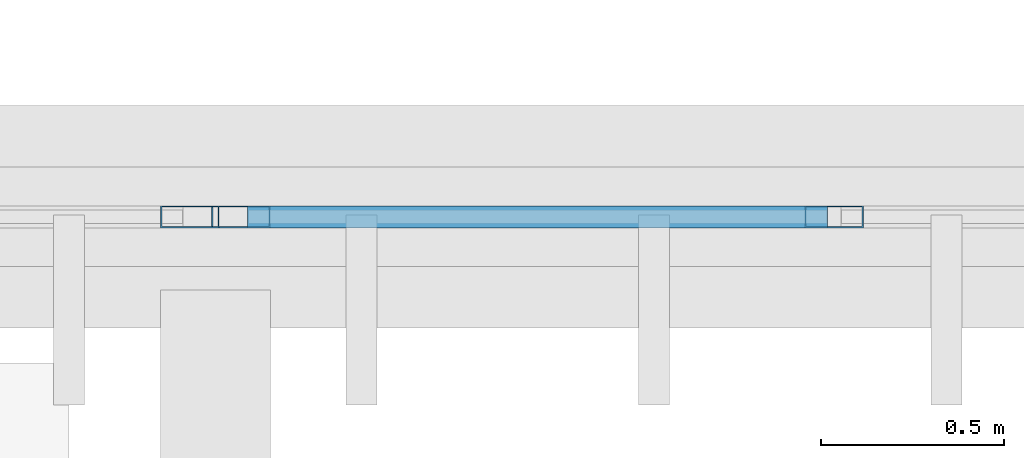
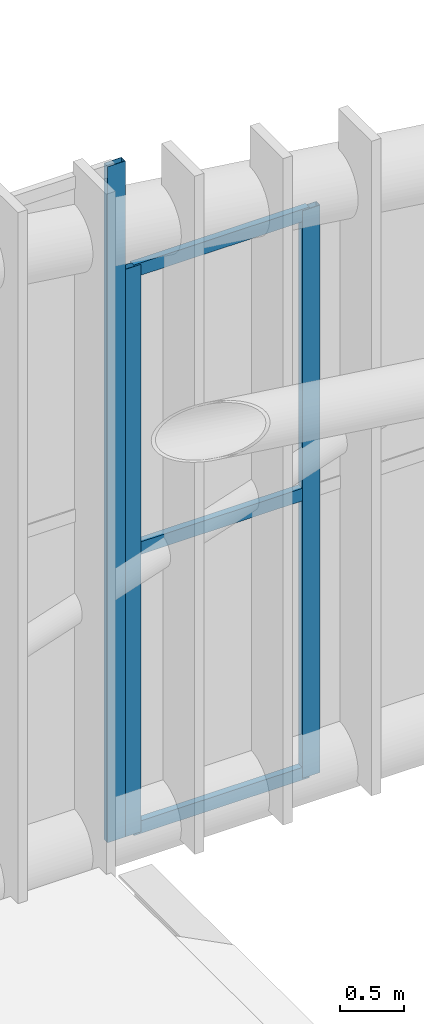
# One storey, part 87 of 397: 6 members, 2 elements without a shape of their own.
"""IFC4 building model written with IfcOpenShell, lengths in metres."""

from ifc_helpers import new_model, si_unit, direction, frame, origin, origin_2d, place, context, subcontext, project, spatial, hollow_rectangle, extrude, material, material_profile, profile_set, type_object, element, aggregate, save


model = new_model("IFC4")

# Units and contexts
model_context = context("Model", 3, precision=1e-05, world=origin(), true_north=direction((0.0, 1.0)))
body_context = subcontext(model_context, "Body", "Model", "MODEL_VIEW")
ifc_project = project(units=[si_unit("LENGTHUNIT", "METRE"), si_unit("AREAUNIT", "SQUARE_METRE"), si_unit("VOLUMEUNIT", "CUBIC_METRE"), si_unit("PLANEANGLEUNIT", "RADIAN"), si_unit("MASSUNIT", "GRAM", prefix="KILO")], contexts=[model_context])

# Site, building, storey
site_placement = place(None, origin())
site = spatial("IfcSite", under=ifc_project, at=site_placement, CompositionType="ELEMENT")
building_placement = place(site_placement, origin())
building = spatial("IfcBuilding", under=site, at=building_placement, Name="Qandorah Velis Arena", CompositionType="ELEMENT")
storey_placement = place(building_placement, frame((0.0, 0.0, 27.5)))
storey = spatial("IfcBuildingStorey", under=building, at=storey_placement, Name="RF", CompositionType="ELEMENT", Elevation=27.5)

# Curtain wall, member
ifc_material_1 = material(Name="Solar-control low-E double glazing", Category="glass")
curtain_wall_type_1 = type_object("IfcCurtainWallType", Name="ARC-CW-SYS22", PredefinedType="USERDEFINED", material=ifc_material_1)
curtain_wall_1_placement = place(storey_placement, origin())
curtain_wall_1 = element("IfcCurtainWall", 1, at=curtain_wall_1_placement, inside=storey, type_object=curtain_wall_type_1, Name="Unitised curtain wall CROWN-3-06S1", ObjectType="UNITISED CURTAIN WALL", PredefinedType="USERDEFINED")
ifc_material_2 = material(Name="Champagne-bronze anodized aluminium 6063-T6", Category="aluminium")
ifc_material_profile_1 = material_profile(ifc_material_2, hollow_rectangle(XDim=0.06005859375, YDim=0.159912109375, WallThickness=0.00341796875, at=origin_2d()), Name="ALU MULLION 60x160")
ifc_profile_set_1 = profile_set([ifc_material_profile_1], Name="Champagne-bronze anodized aluminium 6063-T6")
member_type_1 = type_object("IfcMemberType", Name="ARC-CWM-160", PredefinedType="MULLION", material=ifc_profile_set_1)
member_1_placement = place(storey_placement, frame((93.530029296875, 14.39990234375, -0.014892578125), z_axis=(0.0, 0.0, 1.0), x_axis=(0.0, 1.0, 0.0)))
member_1 = element("IfcMember", 2, at=member_1_placement, type_object=member_type_1, Name="CW22 mullion 5", PredefinedType="MULLION", context=body_context, shape_type="SweptSolid", body=[
    extrude(hollow_rectangle(XDim=0.06005859375, YDim=0.159912109375, WallThickness=0.00341796875, at=origin_2d()), origin(), (0.0, 0.0, 1.0), 6.469482421875),
])
aggregate(curtain_wall_1, [member_1])

# Curtain wall, members
curtain_wall_type_2 = type_object("IfcCurtainWallType", Name="ARC-CW-SYS23", PredefinedType="USERDEFINED", material=ifc_material_1)
curtain_wall_2_placement = place(storey_placement, origin())
curtain_wall_2 = element("IfcCurtainWall", 3, at=curtain_wall_2_placement, inside=storey, type_object=curtain_wall_type_2, Name="Unitised curtain wall CROWN-3-06S2", ObjectType="UNITISED CURTAIN WALL", PredefinedType="USERDEFINED")
member_2_placement = place(storey_placement, frame((93.669921875, 14.39990234375, -0.014892578125), z_axis=(0.0, 0.0, 1.0), x_axis=(0.0, 1.0, 0.0)))
member_2 = element("IfcMember", 4, at=member_2_placement, type_object=member_type_1, Name="CW23 mullion 1", PredefinedType="MULLION", context=body_context, shape_type="SweptSolid", body=[
    extrude(hollow_rectangle(XDim=0.06005859375, YDim=0.159912109375, WallThickness=0.00341796875, at=origin_2d()), origin(), (0.0, 0.0, 1.0), 5.430908203125),
])
member_3_placement = place(storey_placement, frame((95.29248046875, 14.39990234375, -0.014892578125), z_axis=(0.0, 0.0, 1.0), x_axis=(0.0, 1.0, 0.0)))
member_3 = element("IfcMember", 5, at=member_3_placement, type_object=member_type_1, Name="CW23 mullion 2", PredefinedType="MULLION", context=body_context, shape_type="SweptSolid", body=[
    extrude(hollow_rectangle(XDim=0.06005859375, YDim=0.159912109375, WallThickness=0.00341796875, at=origin_2d()), origin(), (0.0, 0.0, 1.0), 5.430908203125),
])
ifc_material_profile_2 = material_profile(ifc_material_2, hollow_rectangle(XDim=0.06005859375, YDim=0.1201171875, WallThickness=0.0029296875, at=origin_2d()), Name="ALU TRANSOM 60x120")
ifc_profile_set_2 = profile_set([ifc_material_profile_2], Name="Champagne-bronze anodized aluminium 6063-T6")
member_type_2 = type_object("IfcMemberType", Name="ARC-CWT-120", PredefinedType="USERDEFINED", material=ifc_profile_set_2)
member_4_placement = place(storey_placement, frame((93.68798828125, 14.39990234375, 0.030029296875), z_axis=(1.0, 0.0, 0.0), x_axis=(0.0, 1.0, 0.0)))
member_4 = element("IfcMember", 6, at=member_4_placement, type_object=member_type_2, Name="CW23 transom 1.1", ObjectType="TRANSOM", PredefinedType="USERDEFINED", context=body_context, shape_type="SweptSolid", body=[
    extrude(hollow_rectangle(XDim=0.06005859375, YDim=0.1201171875, WallThickness=0.0029296875, at=origin_2d()), origin(), (0.0, 0.0, 1.0), 1.58642578125),
])
member_5_placement = place(storey_placement, frame((93.68798828125, 14.39990234375, 2.700439453125), z_axis=(1.0, 0.0, 0.0), x_axis=(0.0, 1.0, 0.0)))
member_5 = element("IfcMember", 7, at=member_5_placement, type_object=member_type_2, Name="CW23 transom 1.2", ObjectType="TRANSOM", PredefinedType="USERDEFINED", context=body_context, shape_type="SweptSolid", body=[
    extrude(hollow_rectangle(XDim=0.06005859375, YDim=0.1201171875, WallThickness=0.0029296875, at=origin_2d()), origin(), (0.0, 0.0, 1.0), 1.58642578125),
])
member_6_placement = place(storey_placement, frame((93.68798828125, 14.39990234375, 5.370849609375), z_axis=(1.0, 0.0, 0.0), x_axis=(0.0, 1.0, 0.0)))
member_6 = element("IfcMember", 8, at=member_6_placement, type_object=member_type_2, Name="CW23 transom 1.3", ObjectType="TRANSOM", PredefinedType="USERDEFINED", context=body_context, shape_type="SweptSolid", body=[
    extrude(hollow_rectangle(XDim=0.06005859375, YDim=0.1201171875, WallThickness=0.0029296875, at=origin_2d()), origin(), (0.0, 0.0, 1.0), 1.58642578125),
])
aggregate(curtain_wall_2, [member_2, member_3, member_4, member_5, member_6])

save(model, "model.ifc")
